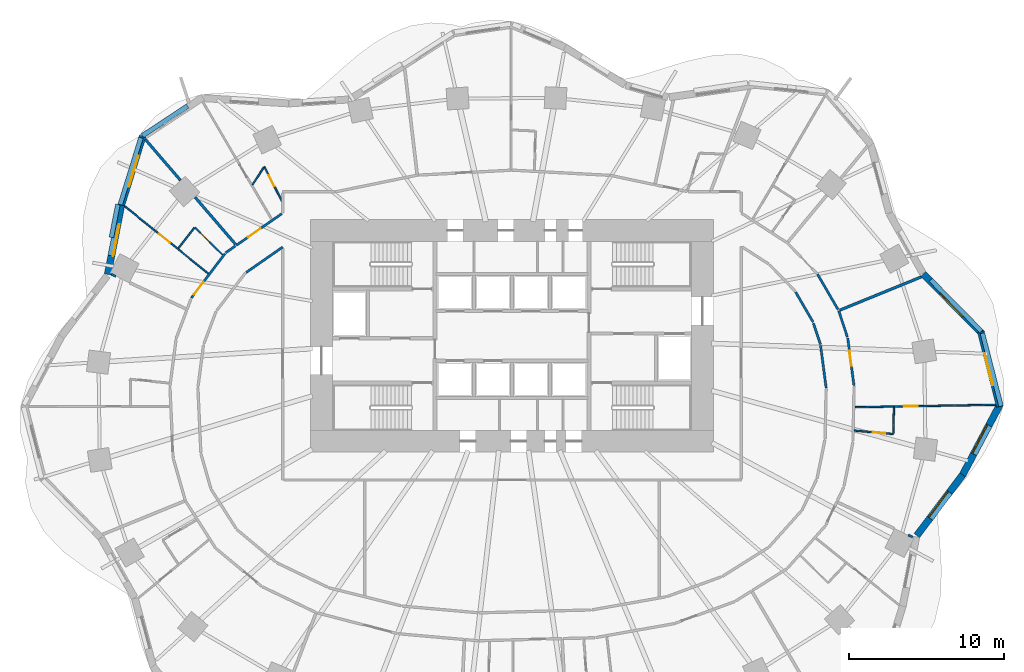
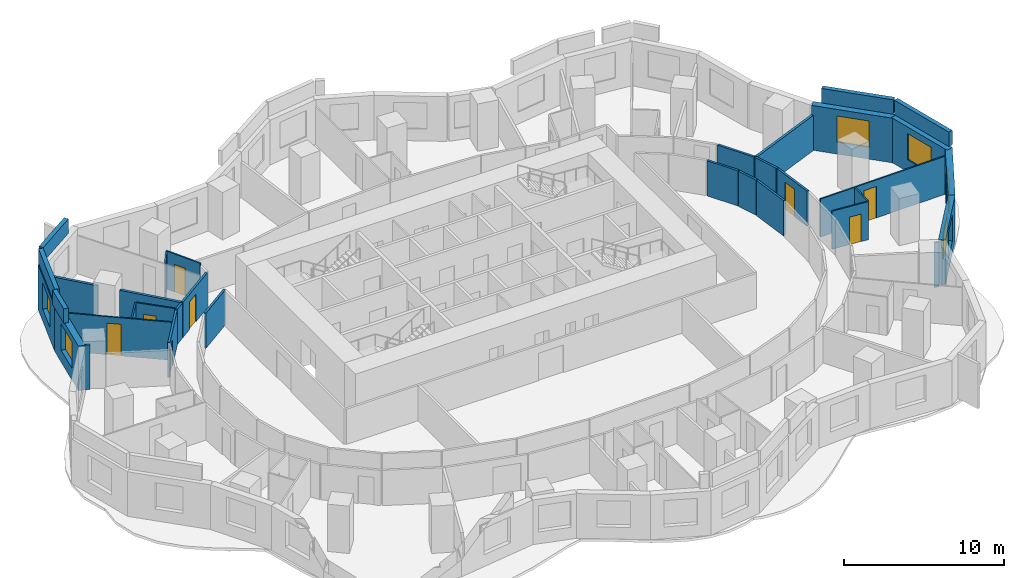
# One storey, part 7 of 11: 34 walls, 8 doors, 6 windows, 14 openings.
"""IFC4 building model written with IfcOpenShell, lengths in metres."""

from ifc_helpers import new_model, si_unit, direction, frame, frame_2d, origin, place, context, subcontext, project, spatial, rectangle, extrude, material, layer, layer_set, type_object, element, fill, save


model = new_model("IFC4")

# Units and contexts
model_context = context("Model", 3, precision=1e-05, world=origin(), true_north=direction((0.0, 1.0)))
body_context = subcontext(model_context, "Body", "Model", "MODEL_VIEW")
ifc_project = project(units=[si_unit("LENGTHUNIT", "METRE"), si_unit("AREAUNIT", "SQUARE_METRE"), si_unit("VOLUMEUNIT", "CUBIC_METRE"), si_unit("PLANEANGLEUNIT", "RADIAN"), si_unit("MASSUNIT", "GRAM", prefix="KILO")], contexts=[model_context])

# Site, building, storey
site_placement = place(None, origin())
site = spatial("IfcSite", under=ifc_project, at=site_placement, CompositionType="ELEMENT")
building_placement = place(site_placement, origin())
building = spatial("IfcBuilding", under=site, at=building_placement, Name="Rubra Terraces Tower", CompositionType="ELEMENT")
storey_placement = place(building_placement, frame((0.0, 0.0, 59.10009765625)))
storey = spatial("IfcBuildingStorey", under=building, at=storey_placement, Name="L12", CompositionType="ELEMENT", Elevation=59.10009765625)

# Walls
ifc_material_1 = material(Name="Twin plasterboard on staggered steel stud, acoustic mineral wool", Category="steel")
ifc_layer_1 = layer(ifc_material_1, 0.175048828125)
ifc_layer_set_1 = layer_set([ifc_layer_1], Name="Twin plasterboard on staggered steel stud, acoustic mineral wool")
wall_type_1 = type_object("IfcWallType", Name="ACOUSTIC PARTY WALL 175", PredefinedType="PARTITIONING", material=ifc_layer_set_1)
wall_1_placement = place(storey_placement, frame((-23.662841796875, 17.18115234375, 0.0), z_axis=(0.0, 0.0, 1.0), x_axis=(0.652099088508, -0.758133747282, 0.0)))
element("IfcWall", 1, at=wall_1_placement, inside=storey, type_object=wall_type_1, Name="PARTITION", PredefinedType="PARTITIONING", context=body_context, shape_type="SweptSolid", body=[
    extrude(rectangle(XDim=3.47216796875, YDim=0.175048828125, at=frame_2d((1.736083984375, 0.0))), origin(), (0.0, 0.0, 1.0), 2.679931640625),
])
wall_2_placement = place(storey_placement, frame((-20.45947265625, 13.456787109375, 0.0), z_axis=(0.0, 0.0, 1.0), x_axis=(0.652095095558, -0.758137181748, 0.0)))
element("IfcWall", 2, at=wall_2_placement, inside=storey, type_object=wall_type_1, Name="PARTITION", PredefinedType="PARTITIONING", context=body_context, shape_type="SweptSolid", body=[
    extrude(rectangle(XDim=4.022216796875, YDim=0.175048828125, at=frame_2d((2.01123046875, 0.0))), origin(), (0.0, 0.0, 1.0), 2.679931640625),
])
wall_3_placement = place(storey_placement, frame((26.414794921875, 8.309326171875, 0.0), z_axis=(0.0, 0.0, 1.0), x_axis=(-0.925952792173, -0.377639281149, 0.0)))
element("IfcWall", 3, at=wall_3_placement, inside=storey, type_object=wall_type_1, Name="PARTITION", PredefinedType="PARTITIONING", context=body_context, shape_type="SweptSolid", body=[
    extrude(rectangle(XDim=5.6845703125, YDim=0.175048828125, at=frame_2d((2.84228515625, 0.0))), origin(), (0.0, 0.0, 1.0), 2.679931640625),
])

# Wall, opening, window
ifc_material_2 = material(Name="Brick masonry red-brown", Category="masonry")
ifc_layer_2 = layer(ifc_material_2, 0.449951171875)
ifc_layer_set_2 = layer_set([ifc_layer_2], Name="Brick masonry red-brown")
wall_type_2 = type_object("IfcWallType", Name="Brick facade wall 450", PredefinedType="SOLIDWALL", material=ifc_layer_set_2)
wall_4_placement = place(storey_placement, frame((31.489013671875, -0.0556640625, 0.0), z_axis=(0.0, 0.0, 1.0), x_axis=(-0.247283399528, 0.968943197674, 0.0)))
wall_4 = element("IfcWall", 4, at=wall_4_placement, inside=storey, type_object=wall_type_2, Name="Facade wall L12 bay 1", PredefinedType="SOLIDWALL", context=body_context, shape_type="SweptSolid", body=[
    extrude(rectangle(XDim=4.98193359375, YDim=0.449951171875, at=frame_2d((2.490966796875, 0.0))), origin(), (0.0, 0.0, 1.0), 3.39990234375),
])
opening_1_placement = place(wall_4_placement, frame((1.44091796875, 0.0, 0.89990234375)))
opening_1 = element("IfcOpeningElement", 5, at=opening_1_placement, cuts=wall_4, Name="Opening W1", PredefinedType="OPENING", context=body_context, shape_type="SweptSolid", body=[
    extrude(rectangle(XDim=2.10009765625, YDim=2.0, at=frame_2d((1.050048828125, 1.0))), frame((0.0, 0.23486328125, 0.0), z_axis=(0.0, -1.0, 0.0), x_axis=(1.0, 0.0, 0.0)), (0.0, 0.0, 1.0), 0.469970703125),
])
ifc_material_3 = material(Name="Clear glass in aluminium frame", Category="aluminium")
window_type = type_object("IfcWindowType", Name="Fixed deep-set window 2100 x 2000", PartitioningType="SINGLE_PANEL", PredefinedType="WINDOW", material=ifc_material_3)
window_1_placement = place(opening_1_placement, origin())
window_1 = element("IfcWindow", 6, at=window_1_placement, inside=storey, type_object=window_type, Name="Window L12 bay 1", OverallHeight=2.0, OverallWidth=2.10009765625, PartitioningType="SINGLE_PANEL", PredefinedType="WINDOW", context=body_context, shape_type="SweptSolid", body=[
    extrude(rectangle(XDim=2.10009765625, YDim=2.0, at=frame_2d((1.050048828125, 1.0))), frame((0.0, 0.135009765625, 0.0), z_axis=(0.0, -1.0, 0.0), x_axis=(1.0, 0.0, 0.0)), (0.0, 0.0, 1.0), 0.06005859375),
])
fill(opening_1, window_1)

wall_5_placement = place(storey_placement, frame((30.310791015625, 4.673095703125, 0.0), z_axis=(0.0, 0.0, 1.0), x_axis=(-0.701580441607, 0.712590263724, 0.0)))
wall_5 = element("IfcWall", 7, at=wall_5_placement, inside=storey, type_object=wall_type_2, Name="Facade wall L12 bay 2", PredefinedType="SOLIDWALL", context=body_context, shape_type="SweptSolid", body=[
    extrude(rectangle(XDim=5.3662109375, YDim=0.449951171875, at=frame_2d((2.68310546875, 0.0))), origin(), (0.0, 0.0, 1.0), 3.39990234375),
])
opening_2_placement = place(wall_5_placement, frame((1.633056640625, 0.0, 0.89990234375)))
opening_2 = element("IfcOpeningElement", 8, at=opening_2_placement, cuts=wall_5, Name="Opening W1", PredefinedType="OPENING", context=body_context, shape_type="SweptSolid", body=[
    extrude(rectangle(XDim=2.10009765625, YDim=2.0, at=frame_2d((1.050048828125, 1.0))), frame((0.0, 0.23486328125, 0.0), z_axis=(0.0, -1.0, 0.0), x_axis=(1.0, 0.0, 0.0)), (0.0, 0.0, 1.0), 0.469970703125),
])
window_2_placement = place(opening_2_placement, origin())
window_2 = element("IfcWindow", 9, at=window_2_placement, inside=storey, type_object=window_type, Name="Window L12 bay 2", OverallHeight=2.0, OverallWidth=2.10009765625, PartitioningType="SINGLE_PANEL", PredefinedType="WINDOW", context=body_context, shape_type="SweptSolid", body=[
    extrude(rectangle(XDim=2.10009765625, YDim=2.0, at=frame_2d((1.050048828125, 1.0))), frame((0.0, 0.135009765625, 0.0), z_axis=(0.0, -1.0, 0.0), x_axis=(1.0, 0.0, 0.0)), (0.0, 0.0, 1.0), 0.06005859375),
])
fill(opening_2, window_2)

wall_6_placement = place(storey_placement, frame((-23.834228515625, 17.40185546875, 0.0), z_axis=(0.0, 0.0, 1.0), x_axis=(-0.2954658114, -0.955353313855, 0.0)))
wall_6 = element("IfcWall", 10, at=wall_6_placement, inside=storey, type_object=wall_type_2, Name="Facade wall L12 bay 17", PredefinedType="SOLIDWALL", context=body_context, shape_type="SweptSolid", body=[
    extrude(rectangle(XDim=4.6982421875, YDim=0.449951171875, at=frame_2d((2.34912109375, 0.0))), origin(), (0.0, 0.0, 1.0), 3.39990234375),
])
opening_3_placement = place(wall_6_placement, frame((1.29931640625, 0.0, 0.89990234375)))
opening_3 = element("IfcOpeningElement", 11, at=opening_3_placement, cuts=wall_6, Name="Opening W1", PredefinedType="OPENING", context=body_context, shape_type="SweptSolid", body=[
    extrude(rectangle(XDim=2.10009765625, YDim=2.0, at=frame_2d((1.050048828125, 1.0))), frame((0.0, 0.23486328125, 0.0), z_axis=(0.0, -1.0, 0.0), x_axis=(1.0, 0.0, 0.0)), (0.0, 0.0, 1.0), 0.469970703125),
])
window_3_placement = place(opening_3_placement, origin())
window_3 = element("IfcWindow", 12, at=window_3_placement, inside=storey, type_object=window_type, Name="Window L12 bay 17", OverallHeight=2.0, OverallWidth=2.10009765625, PartitioningType="SINGLE_PANEL", PredefinedType="WINDOW", context=body_context, shape_type="SweptSolid", body=[
    extrude(rectangle(XDim=2.10009765625, YDim=2.0, at=frame_2d((1.050048828125, 1.0))), frame((0.0, 0.135009765625, 0.0), z_axis=(0.0, -1.0, 0.0), x_axis=(1.0, 0.0, 0.0)), (0.0, 0.0, 1.0), 0.06005859375),
])
fill(opening_3, window_3)

wall_7_placement = place(storey_placement, frame((-25.216064453125, 12.936279296875, 0.0), z_axis=(0.0, 0.0, 1.0), x_axis=(-0.191564556994, -0.981480015336, 0.0)))
wall_7 = element("IfcWall", 13, at=wall_7_placement, inside=storey, type_object=wall_type_2, Name="Facade wall L12 bay 18", PredefinedType="SOLIDWALL", context=body_context, shape_type="SweptSolid", body=[
    extrude(rectangle(XDim=4.551025390625, YDim=0.449951171875, at=frame_2d((2.275390625, 0.0))), origin(), (0.0, 0.0, 1.0), 3.39990234375),
])
opening_4_placement = place(wall_7_placement, frame((1.2255859375, 0.0, 0.89990234375)))
opening_4 = element("IfcOpeningElement", 14, at=opening_4_placement, cuts=wall_7, Name="Opening W1", PredefinedType="OPENING", context=body_context, shape_type="SweptSolid", body=[
    extrude(rectangle(XDim=2.10009765625, YDim=2.0, at=frame_2d((1.050048828125, 1.0))), frame((0.0, 0.23486328125, 0.0), z_axis=(0.0, -1.0, 0.0), x_axis=(1.0, 0.0, 0.0)), (0.0, 0.0, 1.0), 0.469970703125),
])
window_4_placement = place(opening_4_placement, origin())
window_4 = element("IfcWindow", 15, at=window_4_placement, inside=storey, type_object=window_type, Name="Window L12 bay 18", OverallHeight=2.0, OverallWidth=2.10009765625, PartitioningType="SINGLE_PANEL", PredefinedType="WINDOW", context=body_context, shape_type="SweptSolid", body=[
    extrude(rectangle(XDim=2.10009765625, YDim=2.0, at=frame_2d((1.050048828125, 1.0))), frame((0.0, 0.135009765625, 0.0), z_axis=(0.0, -1.0, 0.0), x_axis=(1.0, 0.0, 0.0)), (0.0, 0.0, 1.0), 0.06005859375),
])
fill(opening_4, window_4)

wall_8_placement = place(storey_placement, frame((26.126220703125, -8.3837890625, 0.0), z_axis=(0.0, 0.0, 1.0), x_axis=(0.602408101465, 0.798188248028, 0.0)))
wall_8 = element("IfcWall", 16, at=wall_8_placement, inside=storey, type_object=wall_type_2, Name="Facade wall L12 bay 39", PredefinedType="SOLIDWALL", context=body_context, shape_type="SweptSolid", body=[
    extrude(rectangle(XDim=4.909423828125, YDim=0.449951171875, at=frame_2d((2.45458984375, 0.0))), origin(), (0.0, 0.0, 1.0), 3.39990234375),
])
opening_5_placement = place(wall_8_placement, frame((1.40478515625, 0.0, 0.89990234375)))
opening_5 = element("IfcOpeningElement", 17, at=opening_5_placement, cuts=wall_8, Name="Opening W1", PredefinedType="OPENING", context=body_context, shape_type="SweptSolid", body=[
    extrude(rectangle(XDim=2.10009765625, YDim=2.0, at=frame_2d((1.050048828125, 1.0))), frame((0.0, 0.23486328125, 0.0), z_axis=(0.0, -1.0, 0.0), x_axis=(1.0, 0.0, 0.0)), (0.0, 0.0, 1.0), 0.469970703125),
])
window_5_placement = place(opening_5_placement, origin())
window_5 = element("IfcWindow", 18, at=window_5_placement, inside=storey, type_object=window_type, Name="Window L12 bay 39", OverallHeight=2.0, OverallWidth=2.10009765625, PartitioningType="SINGLE_PANEL", PredefinedType="WINDOW", context=body_context, shape_type="SweptSolid", body=[
    extrude(rectangle(XDim=2.10009765625, YDim=2.0, at=frame_2d((1.050048828125, 1.0))), frame((0.0, 0.135009765625, 0.0), z_axis=(0.0, -1.0, 0.0), x_axis=(1.0, 0.0, 0.0)), (0.0, 0.0, 1.0), 0.06005859375),
])
fill(opening_5, window_5)

wall_9_placement = place(storey_placement, frame((29.065185546875, -4.4951171875, 0.0), z_axis=(0.0, 0.0, 1.0), x_axis=(0.469010051546, 0.883192828067, 0.0)))
wall_9 = element("IfcWall", 19, at=wall_9_placement, inside=storey, type_object=wall_type_2, Name="Facade wall L12 bay 40", PredefinedType="SOLIDWALL", context=body_context, shape_type="SweptSolid", body=[
    extrude(rectangle(XDim=5.20556640625, YDim=0.449951171875, at=frame_2d((2.602783203125, 0.0))), origin(), (0.0, 0.0, 1.0), 3.39990234375),
])
opening_6_placement = place(wall_9_placement, frame((1.552734375, 0.0, 0.89990234375)))
opening_6 = element("IfcOpeningElement", 20, at=opening_6_placement, cuts=wall_9, Name="Opening W1", PredefinedType="OPENING", context=body_context, shape_type="SweptSolid", body=[
    extrude(rectangle(XDim=2.10009765625, YDim=2.0, at=frame_2d((1.050048828125, 1.0))), frame((0.0, 0.23486328125, 0.0), z_axis=(0.0, -1.0, 0.0), x_axis=(1.0, 0.0, 0.0)), (0.0, 0.0, 1.0), 0.469970703125),
])
window_6_placement = place(opening_6_placement, origin())
window_6 = element("IfcWindow", 21, at=window_6_placement, inside=storey, type_object=window_type, Name="Window L12 bay 40", OverallHeight=2.0, OverallWidth=2.10009765625, PartitioningType="SINGLE_PANEL", PredefinedType="WINDOW", context=body_context, shape_type="SweptSolid", body=[
    extrude(rectangle(XDim=2.10009765625, YDim=2.0, at=frame_2d((1.050048828125, 1.0))), frame((0.0, 0.135009765625, 0.0), z_axis=(0.0, -1.0, 0.0), x_axis=(1.0, 0.0, 0.0)), (0.0, 0.0, 1.0), 0.06005859375),
])
fill(opening_6, window_6)

# Walls
ifc_layer_3 = layer(ifc_material_2, 0.300048828125)
ifc_layer_set_3 = layer_set([ifc_layer_3], Name="Brick masonry red-brown")
wall_type_3 = type_object("IfcWallType", Name="Brick parapet 300", PredefinedType="PARAPET", material=ifc_layer_set_3)
wall_10_placement = place(storey_placement, frame((31.561767578125, -0.037109375, 3.599853515625), z_axis=(0.0, 0.0, 1.0), x_axis=(-0.247309156401, 0.968936623913, 0.0)))
element("IfcWall", 22, at=wall_10_placement, inside=storey, type_object=wall_type_3, Name="Parapet L12 bay 1", PredefinedType="PARAPET", context=body_context, shape_type="SweptSolid", body=[
    extrude(rectangle(XDim=4.870849609375, YDim=0.300048828125, at=frame_2d((2.435546875, 0.0))), origin(), (0.0, 0.0, 1.0), 1.10009765625),
])
wall_11_placement = place(storey_placement, frame((30.290283203125, 4.801025390625, 3.599853515625), z_axis=(0.0, 0.0, 1.0), x_axis=(-0.701637806996, 0.712533780107, 0.0)))
element("IfcWall", 23, at=wall_11_placement, inside=storey, type_object=wall_type_3, Name="Parapet L12 bay 2", PredefinedType="PARAPET", context=body_context, shape_type="SweptSolid", body=[
    extrude(rectangle(XDim=4.66064453125, YDim=0.300048828125, at=frame_2d((2.330322265625, 0.0))), origin(), (0.0, 0.0, 1.0), 1.10009765625),
])
wall_12_placement = place(storey_placement, frame((-20.936279296875, 19.341552734375, 3.599853515625), z_axis=(0.0, 0.0, 1.0), x_axis=(-0.835169297141, -0.549992950057, 0.0)))
element("IfcWall", 24, at=wall_12_placement, inside=storey, type_object=wall_type_3, Name="Parapet L12 bay 16", PredefinedType="PARAPET", context=body_context, shape_type="SweptSolid", body=[
    extrude(rectangle(XDim=3.489501953125, YDim=0.300048828125, at=frame_2d((1.74462890625, 0.0))), origin(), (0.0, 0.0, 1.0), 1.10009765625),
])
wall_13_placement = place(storey_placement, frame((-23.9453125, 17.296142578125, 3.599853515625), z_axis=(0.0, 0.0, 1.0), x_axis=(-0.29546008929, -0.955355083535, 0.0)))
element("IfcWall", 25, at=wall_13_placement, inside=storey, type_object=wall_type_3, Name="Parapet L12 bay 17", PredefinedType="PARAPET", context=body_context, shape_type="SweptSolid", body=[
    extrude(rectangle(XDim=4.530517578125, YDim=0.300048828125, at=frame_2d((2.26513671875, 0.0))), origin(), (0.0, 0.0, 1.0), 1.10009765625),
])
wall_14_placement = place(storey_placement, frame((-25.43603515625, 12.9833984375, 3.599853515625), z_axis=(0.0, 0.0, 1.0), x_axis=(-0.191565926717, -0.981479747993, 0.0)))
element("IfcWall", 26, at=wall_14_placement, inside=storey, type_object=wall_type_3, Name="Parapet L12 bay 18", PredefinedType="PARAPET", context=body_context, shape_type="SweptSolid", body=[
    extrude(rectangle(XDim=2.167724609375, YDim=0.300048828125, at=frame_2d((1.083984375, 0.0))), origin(), (0.0, 0.0, 1.0), 1.10009765625),
])

# Wall, opening, door
ifc_material_4 = material(Name="Plasterboard on steel stud, mineral wool infill", Category="steel")
ifc_layer_4 = layer(ifc_material_4, 0.14990234375)
ifc_layer_set_4 = layer_set([ifc_layer_4], Name="Plasterboard on steel stud, mineral wool infill")
wall_type_4 = type_object("IfcWallType", Name="CORRIDOR PARTITION 150", PredefinedType="PARTITIONING", material=ifc_layer_set_4)
wall_15_placement = place(storey_placement, frame((-14.86181640625, 12.384033203125, 0.0), z_axis=(0.0, 0.0, 1.0), x_axis=(-0.821152323197, -0.570709087108, 0.0)))
wall_15 = element("IfcWall", 27, at=wall_15_placement, inside=storey, type_object=wall_type_4, Name="PARTITION", PredefinedType="PARTITIONING", context=body_context, shape_type="SweptSolid", body=[
    extrude(rectangle(XDim=3.56298828125, YDim=0.14990234375, at=frame_2d((1.781494140625, 0.0))), origin(), (0.0, 0.0, 1.0), 2.679931640625),
])
opening_7_placement = place(wall_15_placement, frame((1.652099609375, 0.0, 0.0)))
opening_7 = element("IfcOpeningElement", 28, at=opening_7_placement, cuts=wall_15, Name="Opening 12-103", PredefinedType="OPENING", context=body_context, shape_type="SweptSolid", body=[
    extrude(rectangle(XDim=1.0, YDim=2.10009765625, at=frame_2d((0.5, 1.050048828125))), frame((0.0, 0.0849609375, 0.0), z_axis=(0.0, -1.0, 0.0), x_axis=(1.0, 0.0, 0.0)), (0.0, 0.0, 1.0), 0.169921875),
])
ifc_material_5 = material(Name="Painted timber door leaf", Category="wood")
door_type_1 = type_object("IfcDoorType", Name="ROOM DOOR 1000 X 2100", OperationType="SINGLE_SWING_LEFT", PredefinedType="DOOR", material=ifc_material_5)
door_1_placement = place(opening_7_placement, origin())
door_1 = element("IfcDoor", 29, at=door_1_placement, inside=storey, type_object=door_type_1, Name="DOOR 12-103", OperationType="SINGLE_SWING_RIGHT", OverallHeight=2.10009765625, OverallWidth=1.0, PredefinedType="DOOR", context=body_context, shape_type="SweptSolid", body=[
    extrude(rectangle(XDim=1.0, YDim=2.10009765625, at=frame_2d((0.5, 1.050048828125))), frame((0.0, 0.02490234375, 0.0), z_axis=(0.0, -1.0, 0.0), x_axis=(1.0, 0.0, 0.0)), (0.0, 0.0, 1.0), 0.050048828125),
])
fill(opening_7, door_1)

# Wall
wall_16_placement = place(storey_placement, frame((-17.849365234375, 10.3076171875, 0.0), z_axis=(0.0, 0.0, 1.0), x_axis=(-0.821191323677, -0.570652968027, 0.0)))
element("IfcWall", 30, at=wall_16_placement, inside=storey, type_object=wall_type_4, Name="PARTITION", PredefinedType="PARTITIONING", context=body_context, shape_type="SweptSolid", body=[
    extrude(rectangle(XDim=0.764892578125, YDim=0.14990234375, at=frame_2d((0.38232421875, 0.0))), origin(), (0.0, 0.0, 1.0), 2.679931640625),
])

# Wall, opening, door
wall_17_placement = place(storey_placement, frame((-18.52294921875, 9.811279296875, 0.0), z_axis=(0.0, 0.0, 1.0), x_axis=(-0.605040130963, -0.796194976073, 0.0)))
wall_17 = element("IfcWall", 31, at=wall_17_placement, inside=storey, type_object=wall_type_4, Name="PARTITION", PredefinedType="PARTITIONING", context=body_context, shape_type="SweptSolid", body=[
    extrude(rectangle(XDim=3.587646484375, YDim=0.14990234375, at=frame_2d((1.7939453125, 0.0))), origin(), (0.0, 0.0, 1.0), 2.679931640625),
])
opening_8_placement = place(wall_17_placement, frame((2.300048828125, 0.0, 0.0)))
opening_8 = element("IfcOpeningElement", 32, at=opening_8_placement, cuts=wall_17, Name="Opening 12-106", PredefinedType="OPENING", context=body_context, shape_type="SweptSolid", body=[
    extrude(rectangle(XDim=1.0, YDim=2.10009765625, at=frame_2d((0.5, 1.050048828125))), frame((0.0, 0.0849609375, 0.0), z_axis=(0.0, -1.0, 0.0), x_axis=(1.0, 0.0, 0.0)), (0.0, 0.0, 1.0), 0.169921875),
])
door_2_placement = place(opening_8_placement, origin())
door_2 = element("IfcDoor", 33, at=door_2_placement, inside=storey, type_object=door_type_1, Name="DOOR 12-106", OperationType="SINGLE_SWING_RIGHT", OverallHeight=2.10009765625, OverallWidth=1.0, PredefinedType="DOOR", context=body_context, shape_type="SweptSolid", body=[
    extrude(rectangle(XDim=1.0, YDim=2.10009765625, at=frame_2d((0.5, 1.050048828125))), frame((0.0, 0.02490234375, 0.0), z_axis=(0.0, -1.0, 0.0), x_axis=(1.0, 0.0, 0.0)), (0.0, 0.0, 1.0), 0.050048828125),
])
fill(opening_8, door_2)

wall_18_placement = place(storey_placement, frame((22.06787109375, 1.30908203125, 0.0), z_axis=(0.0, 0.0, 1.0), x_axis=(-0.129922755307, 0.991524118543, 0.0)))
wall_18 = element("IfcWall", 34, at=wall_18_placement, inside=storey, type_object=wall_type_4, Name="PARTITION", PredefinedType="PARTITIONING", context=body_context, shape_type="SweptSolid", body=[
    extrude(rectangle(XDim=3.076171875, YDim=0.14990234375, at=frame_2d((1.5380859375, 0.0))), origin(), (0.0, 0.0, 1.0), 2.679931640625),
])
opening_9_placement = place(wall_18_placement, frame((1.26708984375, 0.0, 0.0)))
opening_9 = element("IfcOpeningElement", 35, at=opening_9_placement, cuts=wall_18, Name="Opening 12-125", PredefinedType="OPENING", context=body_context, shape_type="SweptSolid", body=[
    extrude(rectangle(XDim=1.0, YDim=2.10009765625, at=frame_2d((0.5, 1.050048828125))), frame((0.0, 0.0849609375, 0.0), z_axis=(0.0, -1.0, 0.0), x_axis=(1.0, 0.0, 0.0)), (0.0, 0.0, 1.0), 0.169921875),
])
door_3_placement = place(opening_9_placement, origin())
door_3 = element("IfcDoor", 36, at=door_3_placement, inside=storey, type_object=door_type_1, Name="DOOR 12-125", OperationType="SINGLE_SWING_RIGHT", OverallHeight=2.10009765625, OverallWidth=1.0, PredefinedType="DOOR", context=body_context, shape_type="SweptSolid", body=[
    extrude(rectangle(XDim=1.0, YDim=2.10009765625, at=frame_2d((0.5, 1.050048828125))), frame((0.0, 0.02490234375, 0.0), z_axis=(0.0, -1.0, 0.0), x_axis=(1.0, 0.0, 0.0)), (0.0, 0.0, 1.0), 0.050048828125),
])
fill(opening_9, door_3)

# Walls
wall_19_placement = place(storey_placement, frame((21.644775390625, 4.430419921875, 0.0), z_axis=(0.0, 0.0, 1.0), x_axis=(-0.313696392829, 0.949523339959, 0.0)))
element("IfcWall", 37, at=wall_19_placement, inside=storey, type_object=wall_type_4, Name="PARTITION", PredefinedType="PARTITIONING", context=body_context, shape_type="SweptSolid", body=[
    extrude(rectangle(XDim=1.794677734375, YDim=0.14990234375, at=frame_2d((0.8974609375, 0.0))), origin(), (0.0, 0.0, 1.0), 2.679931640625),
])
wall_20_placement = place(storey_placement, frame((21.044189453125, 6.19921875, 0.0), z_axis=(0.0, 0.0, 1.0), x_axis=(-0.502166671244, 0.864770856523, 0.0)))
element("IfcWall", 38, at=wall_20_placement, inside=storey, type_object=wall_type_4, Name="PARTITION", PredefinedType="PARTITIONING", context=body_context, shape_type="SweptSolid", body=[
    extrude(rectangle(XDim=2.646728515625, YDim=0.14990234375, at=frame_2d((1.3232421875, 0.0))), origin(), (0.0, 0.0, 1.0), 2.679931640625),
])
wall_21_placement = place(storey_placement, frame((18.306396484375, 7.329345703125, 0.0), z_axis=(0.0, 0.0, 1.0), x_axis=(0.502425081691, -0.864620747662, 0.0)))
element("IfcWall", 39, at=wall_21_placement, inside=storey, type_object=wall_type_4, Name="PARTITION", PredefinedType="PARTITIONING", context=body_context, shape_type="SweptSolid", body=[
    extrude(rectangle(XDim=2.2373046875, YDim=0.14990234375, at=frame_2d((1.11865234375, 0.0))), origin(), (0.0, 0.0, 1.0), 2.679931640625),
])
wall_22_placement = place(storey_placement, frame((19.453857421875, 5.32373046875, 0.0), z_axis=(0.0, 0.0, 1.0), x_axis=(0.313632756375, -0.949544361327, 0.0)))
element("IfcWall", 40, at=wall_22_placement, inside=storey, type_object=wall_type_4, Name="PARTITION", PredefinedType="PARTITIONING", context=body_context, shape_type="SweptSolid", body=[
    extrude(rectangle(XDim=1.440185546875, YDim=0.14990234375, at=frame_2d((0.72021484375, 0.0))), origin(), (0.0, 0.0, 1.0), 2.679931640625),
])
wall_23_placement = place(storey_placement, frame((19.915283203125, 3.882080078125, 0.0), z_axis=(0.0, 0.0, 1.0), x_axis=(0.129945947446, -0.991521079323, 0.0)))
element("IfcWall", 41, at=wall_23_placement, inside=storey, type_object=wall_type_4, Name="PARTITION", PredefinedType="PARTITIONING", context=body_context, shape_type="SweptSolid", body=[
    extrude(rectangle(XDim=2.769287109375, YDim=0.14990234375, at=frame_2d((1.384765625, 0.0))), origin(), (0.0, 0.0, 1.0), 2.679931640625),
])
wall_24_placement = place(storey_placement, frame((-17.15478515625, 8.59814453125, 0.0), z_axis=(0.0, 0.0, 1.0), x_axis=(0.821087350938, 0.570802559673, 0.0)))
element("IfcWall", 42, at=wall_24_placement, inside=storey, type_object=wall_type_4, Name="PARTITION", PredefinedType="PARTITIONING", context=body_context, shape_type="SweptSolid", body=[
    extrude(rectangle(XDim=2.867919921875, YDim=0.14990234375, at=frame_2d((1.43408203125, 0.0))), origin(), (0.0, 0.0, 1.0), 2.679931640625),
])

# Wall, opening, door
ifc_material_6 = material(Name="Plasterboard on steel stud", Category="steel")
ifc_layer_5 = layer(ifc_material_6, 0.10009765625)
ifc_layer_set_5 = layer_set([ifc_layer_5], Name="Plasterboard on steel stud")
wall_type_5 = type_object("IfcWallType", Name="ROOM PARTITION 100", PredefinedType="PARTITIONING", material=ifc_layer_set_5)
wall_25_placement = place(storey_placement, frame((-14.83447265625, 13.177978515625, 0.0), z_axis=(0.0, 0.0, 1.0), x_axis=(-0.457048681662, 0.889441680264, 0.0)))
wall_25 = element("IfcWall", 43, at=wall_25_placement, inside=storey, type_object=wall_type_5, Name="PARTITION", PredefinedType="PARTITIONING", context=body_context, shape_type="SweptSolid", body=[
    extrude(rectangle(XDim=2.52490234375, YDim=0.10009765625, at=frame_2d((1.262451171875, 0.0))), origin(), (0.0, 0.0, 1.0), 2.89794921875),
])
opening_10_placement = place(wall_25_placement, frame((1.10009765625, 0.0, 0.0)))
opening_10 = element("IfcOpeningElement", 44, at=opening_10_placement, cuts=wall_25, Name="Opening 12-101", PredefinedType="OPENING", context=body_context, shape_type="SweptSolid", body=[
    extrude(rectangle(XDim=0.800048828125, YDim=2.10009765625, at=frame_2d((0.39990234375, 1.050048828125))), frame((0.0, 0.06005859375, 0.0), z_axis=(0.0, -1.0, 0.0), x_axis=(1.0, 0.0, 0.0)), (0.0, 0.0, 1.0), 0.1201171875),
])
door_type_2 = type_object("IfcDoorType", Name="BATHROOM DOOR 800 X 2100", OperationType="SINGLE_SWING_LEFT", PredefinedType="DOOR", material=ifc_material_5)
door_4_placement = place(opening_10_placement, origin())
door_4 = element("IfcDoor", 45, at=door_4_placement, inside=storey, type_object=door_type_2, Name="DOOR 12-101", OperationType="SINGLE_SWING_LEFT", OverallHeight=2.10009765625, OverallWidth=0.800048828125, PredefinedType="DOOR", context=body_context, shape_type="SweptSolid", body=[
    extrude(rectangle(XDim=0.800048828125, YDim=2.10009765625, at=frame_2d((0.39990234375, 1.050048828125))), frame((0.0, 0.02490234375, 0.0), z_axis=(0.0, -1.0, 0.0), x_axis=(1.0, 0.0, 0.0)), (0.0, 0.0, 1.0), 0.050048828125),
])
fill(opening_10, door_4)

# Wall
wall_26_placement = place(storey_placement, frame((-16.015869140625, 15.382080078125, 0.0), z_axis=(0.0, 0.0, 1.0), x_axis=(-0.546613733712, -0.837384873351, 0.0)))
element("IfcWall", 46, at=wall_26_placement, inside=storey, type_object=wall_type_5, Name="PARTITION", PredefinedType="PARTITIONING", context=body_context, shape_type="SweptSolid", body=[
    extrude(rectangle(XDim=1.35595703125, YDim=0.10009765625, at=frame_2d((0.677978515625, 0.0))), origin(), (0.0, 0.0, 1.0), 2.89794921875),
])

# Wall, opening, door
wall_27_placement = place(storey_placement, frame((-24.99560546875, 12.870849609375, 0.0), z_axis=(0.0, 0.0, 1.0), x_axis=(0.779371961482, -0.626561525835, 0.0)))
wall_27 = element("IfcWall", 47, at=wall_27_placement, inside=storey, type_object=wall_type_5, Name="PARTITION", PredefinedType="PARTITIONING", context=body_context, shape_type="SweptSolid", body=[
    extrude(rectangle(XDim=6.932373046875, YDim=0.10009765625, at=frame_2d((3.46630859375, 0.0))), origin(), (0.0, 0.0, 1.0), 2.89794921875),
])
opening_11_placement = place(wall_27_placement, frame((2.85693359375, 0.0, 0.0)))
opening_11 = element("IfcOpeningElement", 48, at=opening_11_placement, cuts=wall_27, Name="Opening 12-105", PredefinedType="OPENING", context=body_context, shape_type="SweptSolid", body=[
    extrude(rectangle(XDim=0.89990234375, YDim=2.39990234375, at=frame_2d((0.449951171875, 1.199951171875))), frame((0.0, 0.06005859375, 0.0), z_axis=(0.0, -1.0, 0.0), x_axis=(1.0, 0.0, 0.0)), (0.0, 0.0, 1.0), 0.1201171875),
])
ifc_material_7 = material(Name="Veneered timber door leaf, fire-rated", Category="wood")
door_type_3 = type_object("IfcDoorType", Name="SUITE ENTRANCE DOOR 900 X 2400", OperationType="SINGLE_SWING_LEFT", PredefinedType="DOOR", material=ifc_material_7)
door_5_placement = place(opening_11_placement, origin())
door_5 = element("IfcDoor", 49, at=door_5_placement, inside=storey, type_object=door_type_3, Name="DOOR 12-105", OperationType="SINGLE_SWING_LEFT", OverallHeight=2.39990234375, OverallWidth=0.89990234375, PredefinedType="DOOR", context=body_context, shape_type="SweptSolid", body=[
    extrude(rectangle(XDim=0.89990234375, YDim=2.39990234375, at=frame_2d((0.449951171875, 1.199951171875))), frame((0.0, 0.02490234375, 0.0), z_axis=(0.0, -1.0, 0.0), x_axis=(1.0, 0.0, 0.0)), (0.0, 0.0, 1.0), 0.050048828125),
])
fill(opening_11, door_5)

wall_28_placement = place(storey_placement, frame((-18.6796875, 9.7275390625, 0.0), z_axis=(0.0, 0.0, 1.0), x_axis=(-0.708458982763, 0.705751988833, 0.0)))
wall_28 = element("IfcWall", 50, at=wall_28_placement, inside=storey, type_object=wall_type_5, Name="PARTITION", PredefinedType="PARTITIONING", context=body_context, shape_type="SweptSolid", body=[
    extrude(rectangle(XDim=2.525390625, YDim=0.10009765625, at=frame_2d((1.2626953125, 0.0))), origin(), (0.0, 0.0, 1.0), 2.89794921875),
])
opening_12_placement = place(wall_28_placement, frame((1.199951171875, 0.0, 0.0)))
opening_12 = element("IfcOpeningElement", 51, at=opening_12_placement, cuts=wall_28, Name="Opening 12-104", PredefinedType="OPENING", context=body_context, shape_type="SweptSolid", body=[
    extrude(rectangle(XDim=0.800048828125, YDim=2.10009765625, at=frame_2d((0.39990234375, 1.050048828125))), frame((0.0, 0.06005859375, 0.0), z_axis=(0.0, -1.0, 0.0), x_axis=(1.0, 0.0, 0.0)), (0.0, 0.0, 1.0), 0.1201171875),
])
door_6_placement = place(opening_12_placement, origin())
door_6 = element("IfcDoor", 52, at=door_6_placement, inside=storey, type_object=door_type_2, Name="DOOR 12-104", OperationType="SINGLE_SWING_LEFT", OverallHeight=2.10009765625, OverallWidth=0.800048828125, PredefinedType="DOOR", context=body_context, shape_type="SweptSolid", body=[
    extrude(rectangle(XDim=0.800048828125, YDim=2.10009765625, at=frame_2d((0.39990234375, 1.050048828125))), frame((0.0, 0.02490234375, 0.0), z_axis=(0.0, -1.0, 0.0), x_axis=(1.0, 0.0, 0.0)), (0.0, 0.0, 1.0), 0.050048828125),
])
fill(opening_12, door_6)

# Wall
wall_29_placement = place(storey_placement, frame((-20.49951171875, 11.47021484375, 0.0), z_axis=(0.0, 0.0, 1.0), x_axis=(-0.614837929168, -0.788653485921, 0.0)))
element("IfcWall", 53, at=wall_29_placement, inside=storey, type_object=wall_type_5, Name="PARTITION", PredefinedType="PARTITIONING", context=body_context, shape_type="SweptSolid", body=[
    extrude(rectangle(XDim=1.67578125, YDim=0.10009765625, at=frame_2d((0.837890625, 0.0))), origin(), (0.0, 0.0, 1.0), 2.89794921875),
])

# Wall, opening, door
wall_30_placement = place(storey_placement, frame((31.223388671875, 0.05712890625, 0.0), z_axis=(0.0, 0.0, 1.0), x_axis=(-0.999851671488, -0.017223095602, 0.0)))
wall_30 = element("IfcWall", 54, at=wall_30_placement, inside=storey, type_object=wall_type_5, Name="PARTITION", PredefinedType="PARTITIONING", context=body_context, shape_type="SweptSolid", body=[
    extrude(rectangle(XDim=9.1005859375, YDim=0.10009765625, at=frame_2d((4.55029296875, 0.0))), origin(), (0.0, 0.0, 1.0), 2.89794921875),
])
opening_13_placement = place(wall_30_placement, frame((5.02587890625, 0.0, 0.0)))
opening_13 = element("IfcOpeningElement", 55, at=opening_13_placement, cuts=wall_30, Name="Opening 12-124", PredefinedType="OPENING", context=body_context, shape_type="SweptSolid", body=[
    extrude(rectangle(XDim=0.89990234375, YDim=2.39990234375, at=frame_2d((0.449951171875, 1.199951171875))), frame((0.0, 0.06005859375, 0.0), z_axis=(0.0, -1.0, 0.0), x_axis=(1.0, 0.0, 0.0)), (0.0, 0.0, 1.0), 0.1201171875),
])
door_7_placement = place(opening_13_placement, origin())
door_7 = element("IfcDoor", 56, at=door_7_placement, inside=storey, type_object=door_type_3, Name="DOOR 12-124", OperationType="SINGLE_SWING_LEFT", OverallHeight=2.39990234375, OverallWidth=0.89990234375, PredefinedType="DOOR", context=body_context, shape_type="SweptSolid", body=[
    extrude(rectangle(XDim=0.89990234375, YDim=2.39990234375, at=frame_2d((0.449951171875, 1.199951171875))), frame((0.0, 0.02490234375, 0.0), z_axis=(0.0, -1.0, 0.0), x_axis=(1.0, 0.0, 0.0)), (0.0, 0.0, 1.0), 0.050048828125),
])
fill(opening_13, door_7)

wall_31_placement = place(storey_placement, frame((22.09228515625, -1.607421875, 0.0), z_axis=(0.0, 0.0, 1.0), x_axis=(0.996035410778, -0.088957633037, 0.0)))
wall_31 = element("IfcWall", 57, at=wall_31_placement, inside=storey, type_object=wall_type_5, Name="PARTITION", PredefinedType="PARTITIONING", context=body_context, shape_type="SweptSolid", body=[
    extrude(rectangle(XDim=2.52490234375, YDim=0.10009765625, at=frame_2d((1.262451171875, 0.0))), origin(), (0.0, 0.0, 1.0), 2.89794921875),
])
opening_14_placement = place(wall_31_placement, frame((1.199951171875, 0.0, 0.0)))
opening_14 = element("IfcOpeningElement", 58, at=opening_14_placement, cuts=wall_31, Name="Opening 12-123", PredefinedType="OPENING", context=body_context, shape_type="SweptSolid", body=[
    extrude(rectangle(XDim=0.800048828125, YDim=2.10009765625, at=frame_2d((0.39990234375, 1.050048828125))), frame((0.0, 0.06005859375, 0.0), z_axis=(0.0, -1.0, 0.0), x_axis=(1.0, 0.0, 0.0)), (0.0, 0.0, 1.0), 0.1201171875),
])
door_8_placement = place(opening_14_placement, origin())
door_8 = element("IfcDoor", 59, at=door_8_placement, inside=storey, type_object=door_type_2, Name="DOOR 12-123", OperationType="SINGLE_SWING_LEFT", OverallHeight=2.10009765625, OverallWidth=0.800048828125, PredefinedType="DOOR", context=body_context, shape_type="SweptSolid", body=[
    extrude(rectangle(XDim=0.800048828125, YDim=2.10009765625, at=frame_2d((0.39990234375, 1.050048828125))), frame((0.0, 0.02490234375, 0.0), z_axis=(0.0, -1.0, 0.0), x_axis=(1.0, 0.0, 0.0)), (0.0, 0.0, 1.0), 0.050048828125),
])
fill(opening_14, door_8)

# Walls
wall_32_placement = place(storey_placement, frame((24.6083984375, -1.781982421875, 0.0), z_axis=(0.0, 0.0, 1.0), x_axis=(0.023449261298, 0.999725028268, 0.0)))
element("IfcWall", 60, at=wall_32_placement, inside=storey, type_object=wall_type_5, Name="PARTITION", PredefinedType="PARTITIONING", context=body_context, shape_type="SweptSolid", body=[
    extrude(rectangle(XDim=1.67626953125, YDim=0.10009765625, at=frame_2d((0.838134765625, 0.0))), origin(), (0.0, 0.0, 1.0), 2.89794921875),
])
ifc_layer_6 = layer(ifc_material_6, 0.14990234375)
ifc_layer_set_6 = layer_set([ifc_layer_6], Name="Plasterboard on steel stud")
wall_type_6 = type_object("IfcWallType", Name="ROOM PARTITION 150", PredefinedType="PARTITIONING", material=ifc_layer_set_6)
wall_33_placement = place(storey_placement, frame((-25.85693359375, 8.478515625, 0.0), z_axis=(0.0, 0.0, 1.0), x_axis=(0.907339741323, -0.420398137265, 0.0)))
element("IfcWall", 61, at=wall_33_placement, inside=storey, type_object=wall_type_6, Name="PARTITION", PredefinedType="PARTITIONING", context=body_context, shape_type="SweptSolid", body=[
    extrude(rectangle(XDim=0.311767578125, YDim=0.14990234375, at=frame_2d((0.15576171875, 0.0))), origin(), (0.0, 0.0, 1.0), 3.39990234375),
])
wall_34_placement = place(storey_placement, frame((25.85693359375, -8.478515625, 0.0), z_axis=(0.0, 0.0, 1.0), x_axis=(-0.90750010164, 0.420051860517, 0.0)))
element("IfcWall", 62, at=wall_34_placement, inside=storey, type_object=wall_type_6, Name="PARTITION", PredefinedType="PARTITIONING", context=body_context, shape_type="SweptSolid", body=[
    extrude(rectangle(XDim=0.3115234375, YDim=0.14990234375, at=frame_2d((0.15576171875, 0.0))), origin(), (0.0, 0.0, 1.0), 3.39990234375),
])

save(model, "model.ifc")
